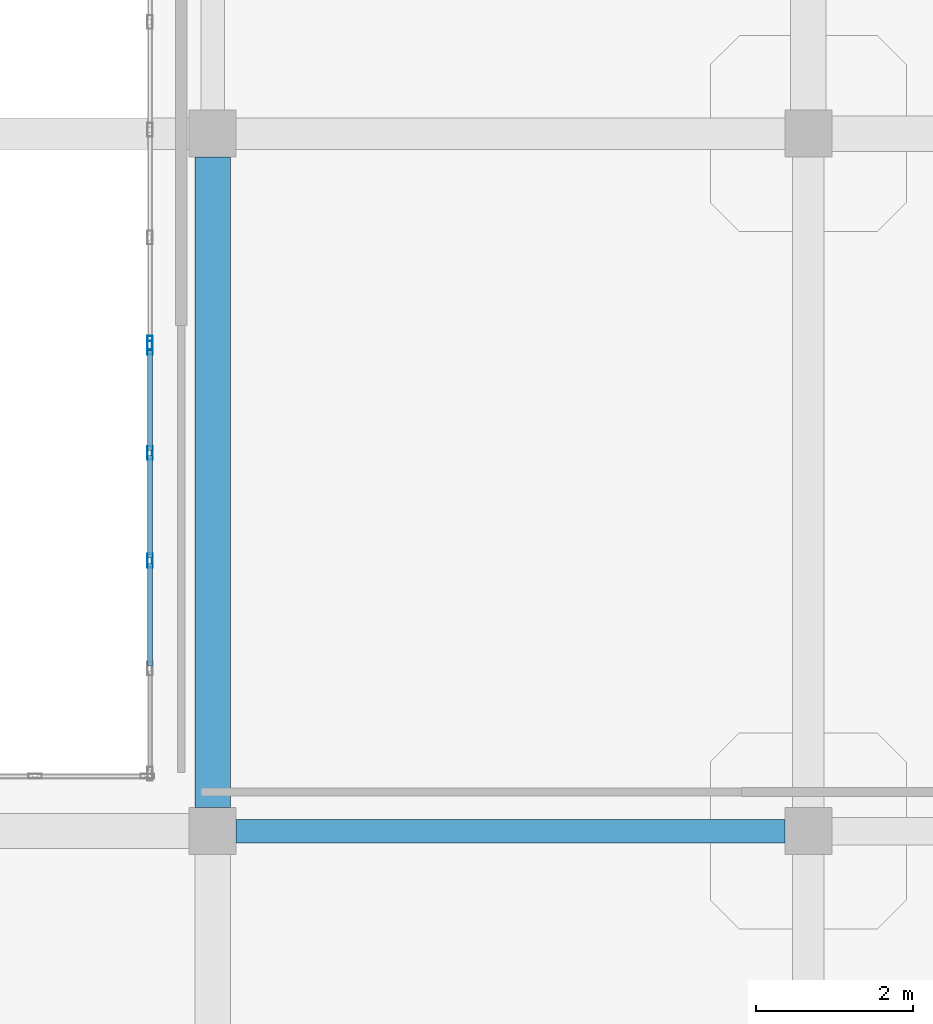
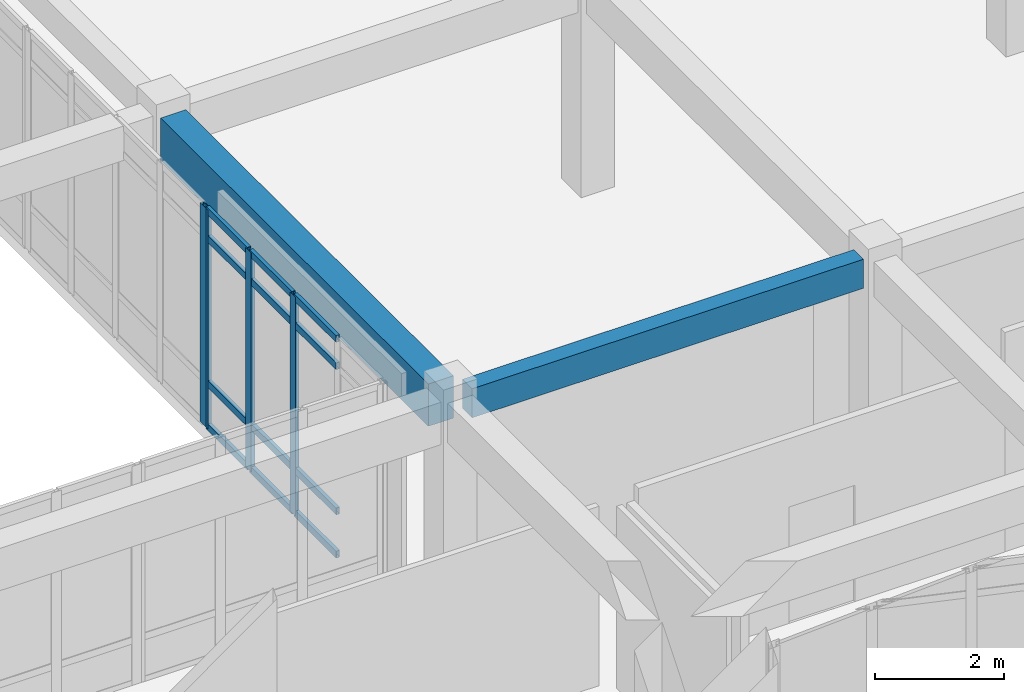
# One storey, part 74 of 142: 16 members, 2 beams, 2 elements without a shape of their own.
"""IFC4 building model written with IfcOpenShell, lengths in metres."""

from ifc_helpers import new_model, si_unit, direction, frame, origin, origin_2d, place, context, subcontext, project, spatial, rectangle, hollow_rectangle, extrude, material, layer, layer_set, material_profile, profile_set, type_object, element, aggregate, save


model = new_model("IFC4")

# Units and contexts
model_context = context("Model", 3, precision=1e-05, world=origin(), true_north=direction((0.0, 1.0)))
body_context = subcontext(model_context, "Body", "Model", "MODEL_VIEW")
ifc_project = project(units=[si_unit("LENGTHUNIT", "METRE"), si_unit("AREAUNIT", "SQUARE_METRE"), si_unit("VOLUMEUNIT", "CUBIC_METRE"), si_unit("PLANEANGLEUNIT", "RADIAN"), si_unit("MASSUNIT", "GRAM", prefix="KILO")], contexts=[model_context])

# Site, building, storey
site_placement = place(None, origin())
site = spatial("IfcSite", under=ifc_project, at=site_placement, CompositionType="ELEMENT")
building_placement = place(site_placement, origin())
building = spatial("IfcBuilding", under=site, at=building_placement, Name="Valcora Specialist Clinic", CompositionType="ELEMENT")
storey_placement = place(building_placement, frame((0.0, 0.0, 5.10009765625)))
storey = spatial("IfcBuildingStorey", under=building, at=storey_placement, Name="L01", CompositionType="ELEMENT", Elevation=5.10009765625)

# Beams
ifc_material_1 = material(Name="Concrete C40/50", Category="concrete")
ifc_material_profile_1 = material_profile(ifc_material_1, rectangle(XDim=0.300048828125, YDim=0.550048828125, at=origin_2d()), Name="RC-BM-300X550")
ifc_profile_set_1 = profile_set([ifc_material_profile_1], Name="Concrete C40/50")
beam_type_1 = type_object("IfcBeamType", Name="TY-BM-RC300X550", PredefinedType="BEAM", material=ifc_profile_set_1)
beam_1_placement = place(storey_placement, frame((91.10009765625, 81.300048828125, 3.869873046875), z_axis=(1.0, 0.0, 0.0), x_axis=(0.0, 1.0, 0.0)))
element("IfcBeam", 1, at=beam_1_placement, inside=storey, type_object=beam_type_1, Name="Beam BM-L01-0625", PredefinedType="BEAM", context=body_context, shape_type="SweptSolid", body=[
    extrude(rectangle(XDim=0.300048828125, YDim=0.550048828125, at=origin_2d()), origin(), (0.0, 0.0, 1.0), 7.0),
])
ifc_material_profile_2 = material_profile(ifc_material_1, rectangle(XDim=0.449951171875, YDim=0.800048828125, at=origin_2d()), Name="RC-BM-450X800")
ifc_profile_set_2 = profile_set([ifc_material_profile_2], Name="Concrete C40/50")
beam_type_2 = type_object("IfcBeamType", Name="TY-BM-RC450X800", PredefinedType="BEAM", material=ifc_profile_set_2)
beam_2_placement = place(storey_placement, frame((90.800048828125, 81.60009765625, 3.744873046875), z_axis=(0.0, 1.0, 0.0), x_axis=(-1.0, 0.0, 0.0)))
element("IfcBeam", 2, at=beam_2_placement, inside=storey, type_object=beam_type_2, Name="Beam BM-L01-0670", PredefinedType="BEAM", context=body_context, shape_type="SweptSolid", body=[
    extrude(rectangle(XDim=0.449951171875, YDim=0.800048828125, at=origin_2d()), origin(), (0.0, 0.0, 1.0), 8.2998046875),
])

# Curtain wall, members
ifc_material_2 = material(Name="Anodized Bronze Aluminium 6063-T6", Category="aluminium")
ifc_layer = layer(ifc_material_2, 0.175048828125)
ifc_layer_set = layer_set([ifc_layer], Name="Anodized Bronze Aluminium 6063-T6")
curtain_wall_type = type_object("IfcCurtainWallType", Name="TY-CW-CRT15", PredefinedType="NOTDEFINED", material=ifc_layer_set)
curtain_wall_1_placement = place(storey_placement, origin())
curtain_wall_1 = element("IfcCurtainWall", 3, at=curtain_wall_1_placement, inside=storey, type_object=curtain_wall_type, Name="Curtain wall CW-L01-064", PredefinedType="NOTDEFINED")
ifc_material_profile_3 = material_profile(ifc_material_2, hollow_rectangle(XDim=0.06494140625, YDim=0.175048828125, WallThickness=0.00390625, at=origin_2d()), Name="AL-MUL-65X175")
ifc_profile_set_3 = profile_set([ifc_material_profile_3], Name="Anodized Bronze Aluminium 6063-T6")
member_type_1 = type_object("IfcMemberType", Name="TY-CWM-65X175", PredefinedType="MULLION", material=ifc_profile_set_3)
member_1_placement = place(storey_placement, frame((90.0, 84.75, 0.0), z_axis=(0.0, 0.0, 1.0), x_axis=(-1.0, 0.0, 0.0)))
member_1 = element("IfcMember", 4, at=member_1_placement, type_object=member_type_1, Name="CW-CRT-15 mullion 3", PredefinedType="MULLION", context=body_context, shape_type="SweptSolid", body=[
    extrude(hollow_rectangle(XDim=0.06494140625, YDim=0.175048828125, WallThickness=0.00390625, at=origin_2d()), origin(), (0.0, 0.0, 1.0), 4.14501953125),
])
member_2_placement = place(storey_placement, frame((90.0, 86.125, 0.0), z_axis=(0.0, 0.0, 1.0), x_axis=(-1.0, 0.0, 0.0)))
member_2 = element("IfcMember", 5, at=member_2_placement, type_object=member_type_1, Name="CW-CRT-15 mullion 4", PredefinedType="MULLION", context=body_context, shape_type="SweptSolid", body=[
    extrude(hollow_rectangle(XDim=0.06494140625, YDim=0.175048828125, WallThickness=0.00390625, at=origin_2d()), origin(), (0.0, 0.0, 1.0), 4.14501953125),
])
member_3_placement = place(storey_placement, frame((90.0, 87.467529296875, 0.0), z_axis=(0.0, 0.0, 1.0), x_axis=(-1.0, 0.0, 0.0)))
member_3 = element("IfcMember", 6, at=member_3_placement, type_object=member_type_1, Name="CW-CRT-15 mullion 5", PredefinedType="MULLION", context=body_context, shape_type="SweptSolid", body=[
    extrude(hollow_rectangle(XDim=0.06494140625, YDim=0.175048828125, WallThickness=0.00390625, at=origin_2d()), origin(), (0.0, 0.0, 1.0), 4.14501953125),
])

# Curtain wall, member
curtain_wall_2_placement = place(storey_placement, origin())
curtain_wall_2 = element("IfcCurtainWall", 7, at=curtain_wall_2_placement, inside=storey, type_object=curtain_wall_type, Name="Curtain wall CW-L01-065", PredefinedType="NOTDEFINED")
member_4_placement = place(storey_placement, frame((90.0, 87.532470703125, 0.0), z_axis=(0.0, 0.0, 1.0), x_axis=(-1.0, 0.0, 0.0)))
member_4 = element("IfcMember", 8, at=member_4_placement, type_object=member_type_1, Name="CW-CRT-15 mullion 1", PredefinedType="MULLION", context=body_context, shape_type="SweptSolid", body=[
    extrude(hollow_rectangle(XDim=0.06494140625, YDim=0.175048828125, WallThickness=0.00390625, at=origin_2d()), origin(), (0.0, 0.0, 1.0), 4.14501953125),
])
aggregate(curtain_wall_2, [member_4])

# Member
ifc_material_profile_4 = material_profile(ifc_material_2, hollow_rectangle(XDim=0.06494140625, YDim=0.1298828125, WallThickness=0.00390625, at=origin_2d()), Name="AL-TRN-65X130")
ifc_profile_set_4 = profile_set([ifc_material_profile_4], Name="Anodized Bronze Aluminium 6063-T6")
member_type_2 = type_object("IfcMemberType", Name="TY-CWT-65X130", PredefinedType="USERDEFINED", material=ifc_profile_set_4)
member_5_placement = place(storey_placement, frame((90.0, 83.407470703125, 0.032470703125), z_axis=(0.0, 1.0, 0.0), x_axis=(-1.0, 0.0, 0.0)))
member_5 = element("IfcMember", 9, at=member_5_placement, type_object=member_type_2, Name="CW-CRT-15 transom 2.1", ObjectType="TRANSOM", PredefinedType="USERDEFINED", context=body_context, shape_type="SweptSolid", body=[
    extrude(hollow_rectangle(XDim=0.06494140625, YDim=0.1298828125, WallThickness=0.00390625, at=origin_2d()), origin(), (0.0, 0.0, 1.0), 1.31005859375),
])

member_6_placement = place(storey_placement, frame((90.0, 83.407470703125, 0.849853515625), z_axis=(0.0, 1.0, 0.0), x_axis=(-1.0, 0.0, 0.0)))
member_6 = element("IfcMember", 10, at=member_6_placement, type_object=member_type_2, Name="CW-CRT-15 transom 2.2", ObjectType="TRANSOM", PredefinedType="USERDEFINED", context=body_context, shape_type="SweptSolid", body=[
    extrude(hollow_rectangle(XDim=0.06494140625, YDim=0.1298828125, WallThickness=0.00390625, at=origin_2d()), origin(), (0.0, 0.0, 1.0), 1.31005859375),
])

member_7_placement = place(storey_placement, frame((90.0, 83.407470703125, 3.594970703125), z_axis=(0.0, 1.0, 0.0), x_axis=(-1.0, 0.0, 0.0)))
member_7 = element("IfcMember", 11, at=member_7_placement, type_object=member_type_2, Name="CW-CRT-15 transom 2.3", ObjectType="TRANSOM", PredefinedType="USERDEFINED", context=body_context, shape_type="SweptSolid", body=[
    extrude(hollow_rectangle(XDim=0.06494140625, YDim=0.1298828125, WallThickness=0.00390625, at=origin_2d()), origin(), (0.0, 0.0, 1.0), 1.31005859375),
])

member_8_placement = place(storey_placement, frame((90.0, 83.407470703125, 4.1123046875), z_axis=(0.0, 1.0, 0.0), x_axis=(-1.0, 0.0, 0.0)))
member_8 = element("IfcMember", 12, at=member_8_placement, type_object=member_type_2, Name="CW-CRT-15 transom 2.4", ObjectType="TRANSOM", PredefinedType="USERDEFINED", context=body_context, shape_type="SweptSolid", body=[
    extrude(hollow_rectangle(XDim=0.06494140625, YDim=0.1298828125, WallThickness=0.00390625, at=origin_2d()), origin(), (0.0, 0.0, 1.0), 1.31005859375),
])

member_9_placement = place(storey_placement, frame((90.0, 84.782470703125, 0.032470703125), z_axis=(0.0, 1.0, 0.0), x_axis=(-1.0, 0.0, 0.0)))
member_9 = element("IfcMember", 13, at=member_9_placement, type_object=member_type_2, Name="CW-CRT-15 transom 3.1", ObjectType="TRANSOM", PredefinedType="USERDEFINED", context=body_context, shape_type="SweptSolid", body=[
    extrude(hollow_rectangle(XDim=0.06494140625, YDim=0.1298828125, WallThickness=0.00390625, at=origin_2d()), origin(), (0.0, 0.0, 1.0), 1.31005859375),
])

member_10_placement = place(storey_placement, frame((90.0, 84.782470703125, 0.849853515625), z_axis=(0.0, 1.0, 0.0), x_axis=(-1.0, 0.0, 0.0)))
member_10 = element("IfcMember", 14, at=member_10_placement, type_object=member_type_2, Name="CW-CRT-15 transom 3.2", ObjectType="TRANSOM", PredefinedType="USERDEFINED", context=body_context, shape_type="SweptSolid", body=[
    extrude(hollow_rectangle(XDim=0.06494140625, YDim=0.1298828125, WallThickness=0.00390625, at=origin_2d()), origin(), (0.0, 0.0, 1.0), 1.31005859375),
])

member_11_placement = place(storey_placement, frame((90.0, 84.782470703125, 3.594970703125), z_axis=(0.0, 1.0, 0.0), x_axis=(-1.0, 0.0, 0.0)))
member_11 = element("IfcMember", 15, at=member_11_placement, type_object=member_type_2, Name="CW-CRT-15 transom 3.3", ObjectType="TRANSOM", PredefinedType="USERDEFINED", context=body_context, shape_type="SweptSolid", body=[
    extrude(hollow_rectangle(XDim=0.06494140625, YDim=0.1298828125, WallThickness=0.00390625, at=origin_2d()), origin(), (0.0, 0.0, 1.0), 1.31005859375),
])

member_12_placement = place(storey_placement, frame((90.0, 84.782470703125, 4.1123046875), z_axis=(0.0, 1.0, 0.0), x_axis=(-1.0, 0.0, 0.0)))
member_12 = element("IfcMember", 16, at=member_12_placement, type_object=member_type_2, Name="CW-CRT-15 transom 3.4", ObjectType="TRANSOM", PredefinedType="USERDEFINED", context=body_context, shape_type="SweptSolid", body=[
    extrude(hollow_rectangle(XDim=0.06494140625, YDim=0.1298828125, WallThickness=0.00390625, at=origin_2d()), origin(), (0.0, 0.0, 1.0), 1.31005859375),
])

member_13_placement = place(storey_placement, frame((90.0, 86.157470703125, 0.032470703125), z_axis=(0.0, 1.0, 0.0), x_axis=(-1.0, 0.0, 0.0)))
member_13 = element("IfcMember", 17, at=member_13_placement, type_object=member_type_2, Name="CW-CRT-15 transom 4.1", ObjectType="TRANSOM", PredefinedType="USERDEFINED", context=body_context, shape_type="SweptSolid", body=[
    extrude(hollow_rectangle(XDim=0.06494140625, YDim=0.1298828125, WallThickness=0.00390625, at=origin_2d()), origin(), (0.0, 0.0, 1.0), 1.277587890625),
])

member_14_placement = place(storey_placement, frame((90.0, 86.157470703125, 0.849853515625), z_axis=(0.0, 1.0, 0.0), x_axis=(-1.0, 0.0, 0.0)))
member_14 = element("IfcMember", 18, at=member_14_placement, type_object=member_type_2, Name="CW-CRT-15 transom 4.2", ObjectType="TRANSOM", PredefinedType="USERDEFINED", context=body_context, shape_type="SweptSolid", body=[
    extrude(hollow_rectangle(XDim=0.06494140625, YDim=0.1298828125, WallThickness=0.00390625, at=origin_2d()), origin(), (0.0, 0.0, 1.0), 1.277587890625),
])

member_15_placement = place(storey_placement, frame((90.0, 86.157470703125, 3.594970703125), z_axis=(0.0, 1.0, 0.0), x_axis=(-1.0, 0.0, 0.0)))
member_15 = element("IfcMember", 19, at=member_15_placement, type_object=member_type_2, Name="CW-CRT-15 transom 4.3", ObjectType="TRANSOM", PredefinedType="USERDEFINED", context=body_context, shape_type="SweptSolid", body=[
    extrude(hollow_rectangle(XDim=0.06494140625, YDim=0.1298828125, WallThickness=0.00390625, at=origin_2d()), origin(), (0.0, 0.0, 1.0), 1.277587890625),
])

member_16_placement = place(storey_placement, frame((90.0, 86.157470703125, 4.1123046875), z_axis=(0.0, 1.0, 0.0), x_axis=(-1.0, 0.0, 0.0)))
member_16 = element("IfcMember", 20, at=member_16_placement, type_object=member_type_2, Name="CW-CRT-15 transom 4.4", ObjectType="TRANSOM", PredefinedType="USERDEFINED", context=body_context, shape_type="SweptSolid", body=[
    extrude(hollow_rectangle(XDim=0.06494140625, YDim=0.1298828125, WallThickness=0.00390625, at=origin_2d()), origin(), (0.0, 0.0, 1.0), 1.277587890625),
])

aggregate(curtain_wall_1, [member_1, member_2, member_3, member_5, member_6, member_7, member_8, member_9, member_10, member_11, member_12, member_13, member_14, member_15, member_16])

save(model, "model.ifc")
